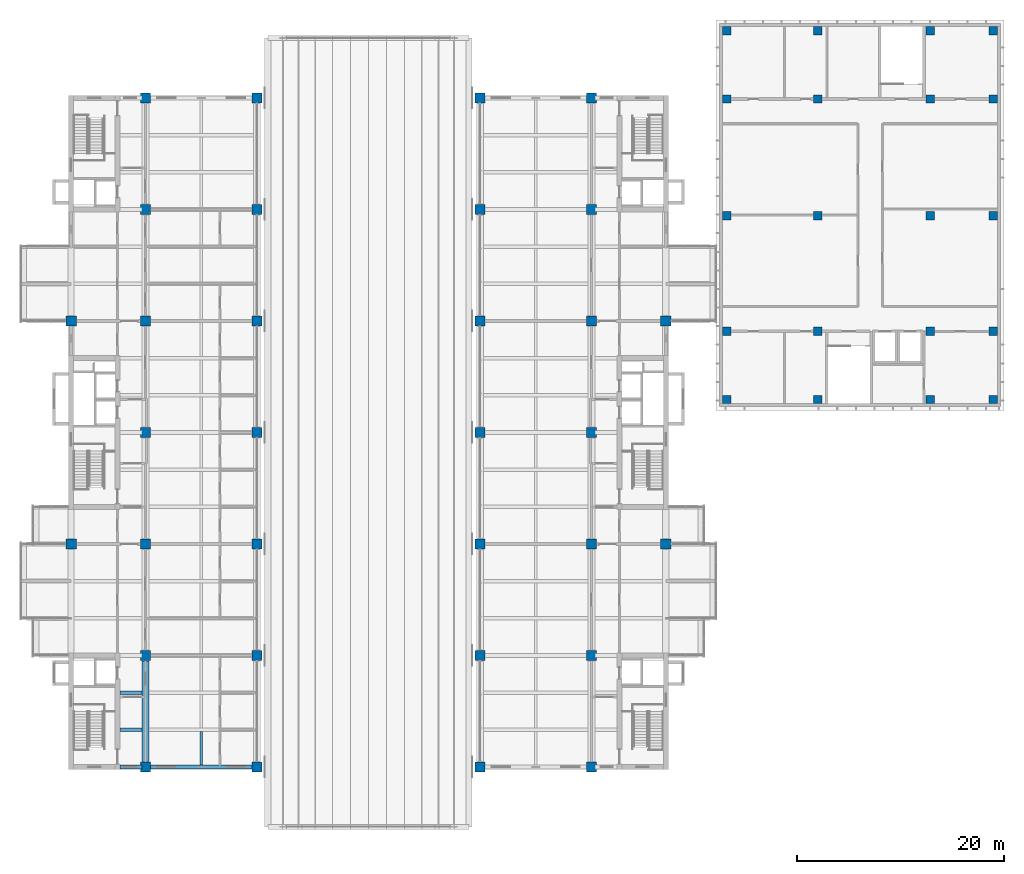
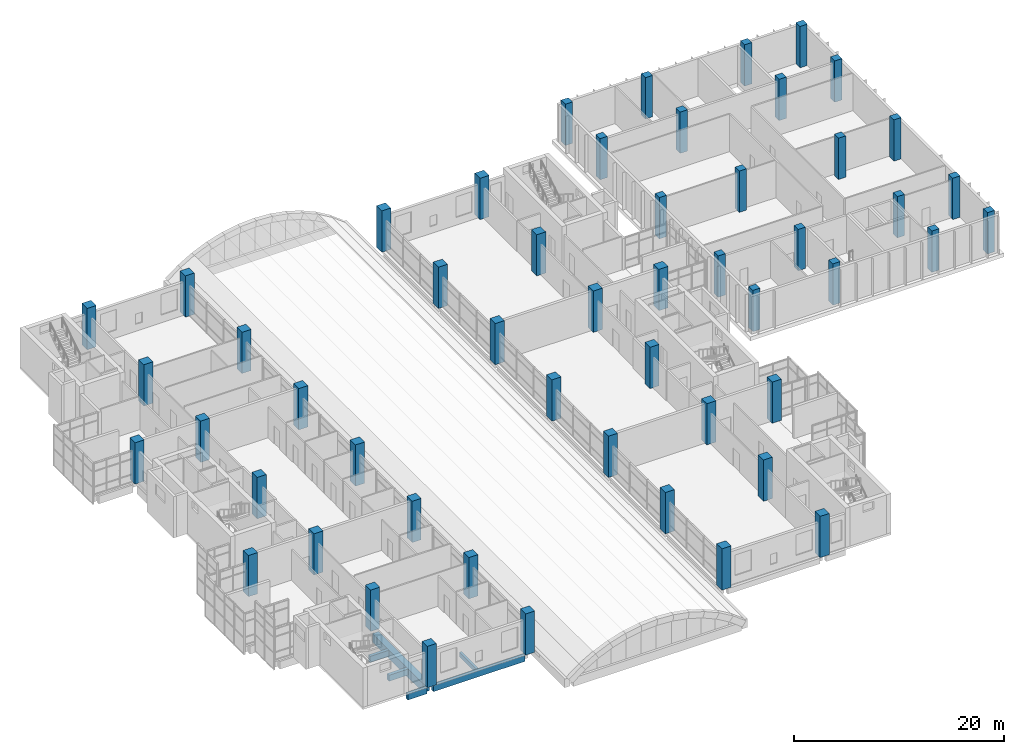
# One storey, part 1 of 45: 52 columns, 6 beams.
"""IFC4 building model written with IfcOpenShell, lengths in metres."""

from ifc_helpers import new_model, si_unit, direction, frame, origin, origin_2d, place, context, subcontext, project, spatial, rectangle, extrude, material, material_profile, profile_set, type_object, element, save


model = new_model("IFC4")

# Units and contexts
model_context = context("Model", 3, precision=1e-05, world=origin(), true_north=direction((0.0, 1.0)))
body_context = subcontext(model_context, "Body", "Model", "MODEL_VIEW")
ifc_project = project(units=[si_unit("LENGTHUNIT", "METRE"), si_unit("AREAUNIT", "SQUARE_METRE"), si_unit("VOLUMEUNIT", "CUBIC_METRE"), si_unit("PLANEANGLEUNIT", "RADIAN"), si_unit("MASSUNIT", "GRAM", prefix="KILO")], contexts=[model_context])

# Site, building, storey
site_placement = place(None, origin())
site = spatial("IfcSite", under=ifc_project, at=site_placement, CompositionType="ELEMENT")
building_placement = place(site_placement, origin())
building = spatial("IfcBuilding", under=site, at=building_placement, Name="Basin Gate Institute", CompositionType="ELEMENT")
storey_placement = place(building_placement, frame((0.0, 0.0, 22.199951171875)))
storey = spatial("IfcBuildingStorey", under=building, at=storey_placement, Name="L04", CompositionType="ELEMENT", Elevation=22.199951171875)

# Columns
ifc_material_1 = material(Name="Concrete 60 MPa", Category="concrete")
ifc_material_profile_1 = material_profile(ifc_material_1, rectangle(XDim=1.0, YDim=1.0, at=origin_2d()), Name="Column C2 1000 x 1000")
ifc_profile_set_1 = profile_set([ifc_material_profile_1], Name="Concrete 60 MPa")
column_type_1 = type_object("IfcColumnType", Name="Column C2 R120", PredefinedType="COLUMN", material=ifc_profile_set_1)
for number, where, z_axis, x_axis, name in (
    (1, (61.199951171875, 56.699951171875, 0.0), (0.0, 0.0, 1.0), (1.0, 0.0, 0.0), "COL/L04/4C"),
    (2, (61.199951171875, 78.300048828125, 0.0), (0.0, 0.0, 1.0), (1.0, 0.0, 0.0), "COL/L04/4E"),
    (3, (68.39990234375, 35.10009765625, 0.0), (0.0, 0.0, 1.0), (1.0, 0.0, 0.0), "COL/L04/5A"),
    (4, (68.39990234375, 45.89990234375, 0.0), (0.0, 0.0, 1.0), (1.0, 0.0, 0.0), "COL/L04/5B"),
    (5, (68.39990234375, 56.699951171875, 0.0), (0.0, 0.0, 1.0), (1.0, 0.0, 0.0), "COL/L04/5C"),
    (6, (68.39990234375, 67.5, 0.0), (0.0, 0.0, 1.0), (1.0, 0.0, 0.0), "COL/L04/5D"),
    (7, (68.39990234375, 78.300048828125, 0.0), (0.0, 0.0, 1.0), (1.0, 0.0, 0.0), "COL/L04/5E"),
    (8, (68.39990234375, 89.10009765625, 0.0), (0.0, 0.0, 1.0), (1.0, 0.0, 0.0), "COL/L04/5F"),
    (9, (68.39990234375, 99.89990234375, 0.0), (0.0, 0.0, 1.0), (1.0, 0.0, 0.0), "COL/L04/5G"),
    (10, (79.199951171875, 35.10009765625, 0.0), (0.0, 0.0, 1.0), (1.0, 0.0, 0.0), "COL/L04/6A"),
    (11, (79.199951171875, 45.89990234375, 0.0), (0.0, 0.0, 1.0), (1.0, 0.0, 0.0), "COL/L04/6B"),
    (12, (79.199951171875, 56.699951171875, 0.0), (0.0, 0.0, 1.0), (1.0, 0.0, 0.0), "COL/L04/6C"),
    (13, (79.199951171875, 67.5, 0.0), (0.0, 0.0, 1.0), (1.0, 0.0, 0.0), "COL/L04/6D"),
    (14, (79.199951171875, 78.300048828125, 0.0), (0.0, 0.0, 1.0), (1.0, 0.0, 0.0), "COL/L04/6E"),
    (15, (79.199951171875, 89.10009765625, 0.0), (0.0, 0.0, 1.0), (1.0, 0.0, 0.0), "COL/L04/6F"),
    (16, (79.199951171875, 99.89990234375, 0.0), (0.0, 0.0, 1.0), (1.0, 0.0, 0.0), "COL/L04/6G"),
    (17, (118.800048828125, 56.699951171875, 0.0), (0.0, 0.0, 1.0), (1.0, 0.0, 0.0), "COL/L04/9C"),
    (18, (118.800048828125, 78.300048828125, 0.0), (0.0, 0.0, 1.0), (1.0, 0.0, 0.0), "COL/L04/9E"),
    (19, (111.60009765625, 35.10009765625, 0.0), (0.0, 0.0, 1.0), (1.0, 0.0, 0.0), "COL/L04/8A"),
    (20, (111.60009765625, 45.89990234375, 0.0), (0.0, 0.0, 1.0), (1.0, 0.0, 0.0), "COL/L04/8B"),
    (21, (111.60009765625, 56.699951171875, 0.0), (0.0, 0.0, 1.0), (1.0, 0.0, 0.0), "COL/L04/8C"),
    (22, (111.60009765625, 67.5, 0.0), (0.0, 0.0, 1.0), (1.0, 0.0, 0.0), "COL/L04/8D"),
    (23, (111.60009765625, 78.300048828125, 0.0), (0.0, 0.0, 1.0), (1.0, 0.0, 0.0), "COL/L04/8E"),
    (24, (111.60009765625, 89.10009765625, 0.0), (0.0, 0.0, 1.0), (1.0, 0.0, 0.0), "COL/L04/8F"),
    (25, (111.60009765625, 99.89990234375, 0.0), (0.0, 0.0, 1.0), (1.0, 0.0, 0.0), "COL/L04/8G"),
    (26, (100.800048828125, 35.10009765625, 0.0), (0.0, 0.0, 1.0), (1.0, 0.0, 0.0), "COL/L04/7A"),
    (27, (100.800048828125, 45.89990234375, 0.0), (0.0, 0.0, 1.0), (1.0, 0.0, 0.0), "COL/L04/7B"),
    (28, (100.800048828125, 56.699951171875, 0.0), (0.0, 0.0, 1.0), (1.0, 0.0, 0.0), "COL/L04/7C"),
    (29, (100.800048828125, 67.5, 0.0), (0.0, 0.0, 1.0), (1.0, 0.0, 0.0), "COL/L04/7D"),
    (30, (100.800048828125, 78.300048828125, 0.0), (0.0, 0.0, 1.0), (1.0, 0.0, 0.0), "COL/L04/7E"),
    (31, (100.800048828125, 89.10009765625, 0.0), (0.0, 0.0, 1.0), (1.0, 0.0, 0.0), "COL/L04/7F"),
    (32, (100.800048828125, 99.89990234375, 0.0), (0.0, 0.0, 1.0), (1.0, 0.0, 0.0), "COL/L04/7G"),
):
    element("IfcColumn", number, at=place(storey_placement, frame(where, z_axis=z_axis, x_axis=x_axis)), inside=storey, type_object=column_type_1, material=ifc_profile_set_1, Name=name, PredefinedType="COLUMN", context=body_context, shape_type="SweptSolid", body=[
        extrude(rectangle(XDim=1.0, YDim=1.0, at=origin_2d()), origin(), (0.0, 0.0, 1.0), 4.800048828125),
    ])
ifc_material_2 = material(Name="Concrete 50 MPa", Category="concrete")
ifc_material_profile_2 = material_profile(ifc_material_2, rectangle(XDim=0.800048828125, YDim=0.800048828125, at=origin_2d()), Name="Column C4 800 x 800")
ifc_profile_set_2 = profile_set([ifc_material_profile_2], Name="Concrete 50 MPa")
column_type_2 = type_object("IfcColumnType", Name="Column C4 R120", PredefinedType="COLUMN", material=ifc_profile_set_2)
for number, where, z_axis, x_axis, name in (
    (33, (124.699951171875, 70.699951171875, 0.0), (0.0, 0.0, 1.0), (1.0, 0.0, 0.0), "Clean block column R120 1/1 L04"),
    (34, (124.699951171875, 77.300048828125, 0.0), (0.0, 0.0, 1.0), (1.0, 0.0, 0.0), "Clean block column R120 1/2 L04"),
    (35, (124.699951171875, 88.5, 0.0), (0.0, 0.0, 1.0), (1.0, 0.0, 0.0), "Clean block column R120 1/3 L04"),
    (36, (124.699951171875, 99.800048828125, 0.0), (0.0, 0.0, 1.0), (1.0, 0.0, 0.0), "Clean block column R120 1/4 L04"),
    (37, (124.699951171875, 106.39990234375, 0.0), (0.0, 0.0, 1.0), (1.0, 0.0, 0.0), "Clean block column R120 1/5 L04"),
    (38, (133.5, 70.699951171875, 0.0), (0.0, 0.0, 1.0), (1.0, 0.0, 0.0), "Clean block column R120 2/1 L04"),
    (39, (133.5, 77.300048828125, 0.0), (0.0, 0.0, 1.0), (1.0, 0.0, 0.0), "Clean block column R120 2/2 L04"),
    (40, (133.5, 88.5, 0.0), (0.0, 0.0, 1.0), (1.0, 0.0, 0.0), "Clean block column R120 2/3 L04"),
    (41, (133.5, 99.800048828125, 0.0), (0.0, 0.0, 1.0), (1.0, 0.0, 0.0), "Clean block column R120 2/4 L04"),
    (42, (133.5, 106.39990234375, 0.0), (0.0, 0.0, 1.0), (1.0, 0.0, 0.0), "Clean block column R120 2/5 L04"),
    (43, (144.39990234375, 70.699951171875, 0.0), (0.0, 0.0, 1.0), (1.0, 0.0, 0.0), "Clean block column R120 3/1 L04"),
    (44, (144.39990234375, 77.300048828125, 0.0), (0.0, 0.0, 1.0), (1.0, 0.0, 0.0), "Clean block column R120 3/2 L04"),
    (45, (144.39990234375, 88.5, 0.0), (0.0, 0.0, 1.0), (1.0, 0.0, 0.0), "Clean block column R120 3/3 L04"),
    (46, (144.39990234375, 99.800048828125, 0.0), (0.0, 0.0, 1.0), (1.0, 0.0, 0.0), "Clean block column R120 3/4 L04"),
    (47, (144.39990234375, 106.39990234375, 0.0), (0.0, 0.0, 1.0), (1.0, 0.0, 0.0), "Clean block column R120 3/5 L04"),
    (48, (150.5, 70.699951171875, 0.0), (0.0, 0.0, 1.0), (1.0, 0.0, 0.0), "Clean block column R120 4/1 L04"),
    (49, (150.5, 77.300048828125, 0.0), (0.0, 0.0, 1.0), (1.0, 0.0, 0.0), "Clean block column R120 4/2 L04"),
    (50, (150.5, 88.5, 0.0), (0.0, 0.0, 1.0), (1.0, 0.0, 0.0), "Clean block column R120 4/3 L04"),
    (51, (150.5, 99.800048828125, 0.0), (0.0, 0.0, 1.0), (1.0, 0.0, 0.0), "Clean block column R120 4/4 L04"),
    (52, (150.5, 106.39990234375, 0.0), (0.0, 0.0, 1.0), (1.0, 0.0, 0.0), "Clean block column R120 4/5 L04"),
):
    element("IfcColumn", number, at=place(storey_placement, frame(where, z_axis=z_axis, x_axis=x_axis)), inside=storey, type_object=column_type_2, material=ifc_profile_set_2, Name=name, PredefinedType="COLUMN", context=body_context, shape_type="SweptSolid", body=[
        extrude(rectangle(XDim=0.800048828125, YDim=0.800048828125, at=origin_2d()), origin(), (0.0, 0.0, 1.0), 4.800048828125),
    ])

# Beams
ifc_material_3 = material(Name="Concrete 40 MPa", Category="concrete")
ifc_material_profile_3 = material_profile(ifc_material_3, rectangle(XDim=0.35009765625, YDim=0.699951171875, at=origin_2d()), Name="Beam B1 350 x 700")
ifc_profile_set_3 = profile_set([ifc_material_profile_3], Name="Concrete 40 MPa")
beam_type_1 = type_object("IfcBeamType", Name="Beam B1 R120", PredefinedType="BEAM", material=ifc_profile_set_3)
beam_1_placement = place(storey_placement, frame((68.75, 35.10009765625, -0.599853515625), z_axis=(1.0, 0.0, 0.0), x_axis=(0.0, 1.0, 0.0)))
element("IfcBeam", 53, at=beam_1_placement, inside=storey, type_object=beam_type_1, material=ifc_profile_set_3, Name="BEAM/L04/W/EW/01", PredefinedType="BEAM", context=body_context, shape_type="SweptSolid", body=[
    extrude(rectangle(XDim=0.35009765625, YDim=0.699951171875, at=origin_2d()), origin(), (0.0, 0.0, 1.0), 10.10009765625),
])
for number, where, z_axis, x_axis, name in (
    (54, (65.949951171875, 35.10009765625, -0.599853515625), (1.0, 0.0, 0.0), (0.0, 1.0, 0.0), "BEAM/L04/W/CORR/01"),
    (55, (65.949951171875, 38.699951171875, -0.599853515625), (1.0, 0.0, 0.0), (0.0, 1.0, 0.0), "BEAM/L04/W/CORR/02"),
    (56, (65.949951171875, 42.300048828125, -0.599853515625), (1.0, 0.0, 0.0), (0.0, 1.0, 0.0), "BEAM/L04/W/CORR/03"),
):
    element("IfcBeam", number, at=place(storey_placement, frame(where, z_axis=z_axis, x_axis=x_axis)), inside=storey, type_object=beam_type_1, material=ifc_profile_set_3, Name=name, PredefinedType="BEAM", context=body_context, shape_type="SweptSolid", body=[
        extrude(rectangle(XDim=0.35009765625, YDim=0.699951171875, at=origin_2d()), origin(), (0.0, 0.0, 1.0), 2.10009765625),
    ])
ifc_material_4 = material(Name="Concrete 50 MPa", Category="concrete")
ifc_material_profile_4 = material_profile(ifc_material_4, rectangle(XDim=0.699951171875, YDim=1.0, at=origin_2d()), Name="Girder G1 700 x 1000")
ifc_profile_set_4 = profile_set([ifc_material_profile_4], Name="Concrete 50 MPa")
beam_type_2 = type_object("IfcBeamType", Name="Girder G1 R120", PredefinedType="BEAM", material=ifc_profile_set_4)
beam_2_placement = place(storey_placement, frame((68.39990234375, 35.64990234375, -0.75), z_axis=(0.0, 1.0, 0.0), x_axis=(-1.0, 0.0, 0.0)))
element("IfcBeam", 57, at=beam_2_placement, inside=storey, type_object=beam_type_2, material=ifc_profile_set_4, Name="GIR/L04/W5/1", PredefinedType="BEAM", context=body_context, shape_type="SweptSolid", body=[
    extrude(rectangle(XDim=0.699951171875, YDim=1.0, at=origin_2d()), origin(), (0.0, 0.0, 1.0), 9.7001953125),
])
ifc_material_5 = material(Name="Concrete 40 MPa", Category="concrete")
ifc_material_profile_5 = material_profile(ifc_material_5, rectangle(XDim=0.25, YDim=0.5, at=origin_2d()), Name="Rib R1 250 x 500")
ifc_profile_set_5 = profile_set([ifc_material_profile_5], Name="Concrete 40 MPa")
beam_type_3 = type_object("IfcBeamType", Name="Rib R1 R120", PredefinedType="JOIST", material=ifc_profile_set_5)
beam_3_placement = place(storey_placement, frame((73.800048828125, 35.27490234375, -0.5), z_axis=(0.0, 1.0, 0.0), x_axis=(-1.0, 0.0, 0.0)))
element("IfcBeam", 58, at=beam_3_placement, inside=storey, type_object=beam_type_3, material=ifc_profile_set_5, Name="BEAM/L04/W/RIB/01", PredefinedType="JOIST", context=body_context, shape_type="SweptSolid", body=[
    extrude(rectangle(XDim=0.25, YDim=0.5, at=origin_2d()), origin(), (0.0, 0.0, 1.0), 3.25),
])

save(model, "model.ifc")
